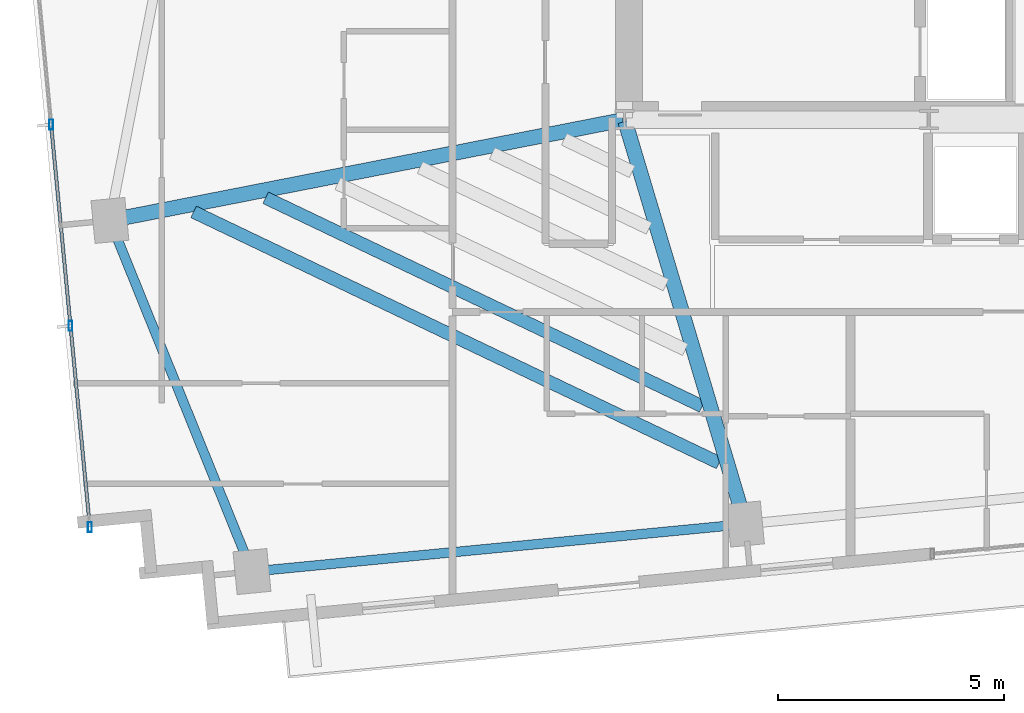
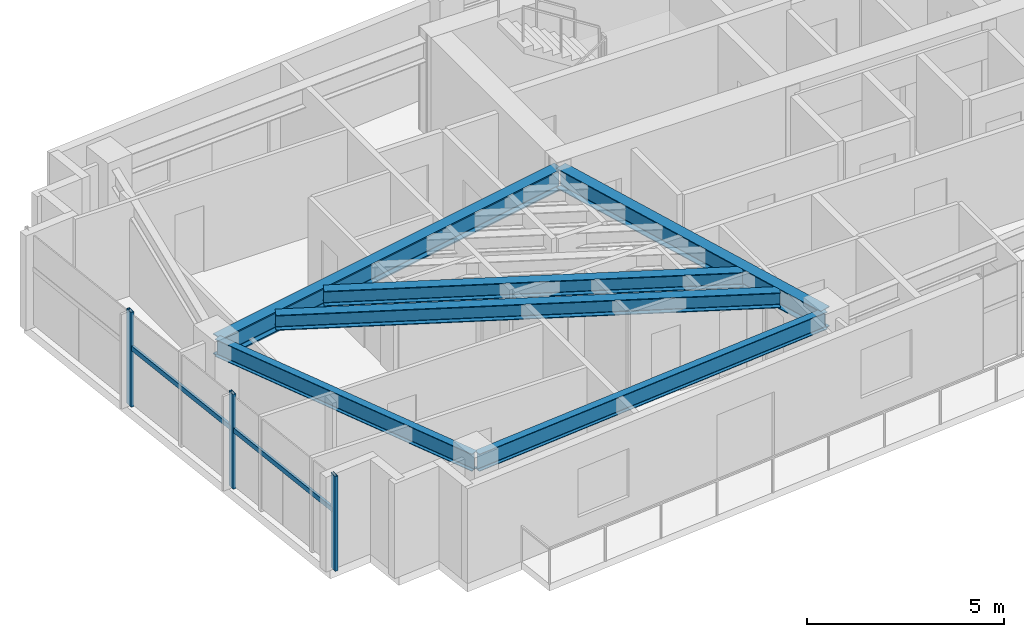
# One storey, part 2 of 18: 6 beams, 5 members, 1 element without a shape of its own.
"""IFC4 building model written with IfcOpenShell, lengths in metres."""

from ifc_helpers import new_model, si_unit, direction, frame, origin, origin_2d, place, context, subcontext, project, spatial, hollow_rectangle, i_section, extrude, source, transform, mapped, material, material_profile, profile_set, type_object, type_shapes, element, aggregate, save


model = new_model("IFC4")

# Units and contexts
model_context = context("Model", 3, precision=1e-05, world=origin(), true_north=direction((0.0, 1.0)))
body_context = subcontext(model_context, "Body", "Model", "MODEL_VIEW")
ifc_project = project(units=[si_unit("LENGTHUNIT", "METRE"), si_unit("AREAUNIT", "SQUARE_METRE"), si_unit("VOLUMEUNIT", "CUBIC_METRE"), si_unit("PLANEANGLEUNIT", "RADIAN"), si_unit("MASSUNIT", "GRAM", prefix="KILO")], contexts=[model_context])

# Site, building, storey
site_placement = place(None, origin())
site = spatial("IfcSite", under=ifc_project, at=site_placement, CompositionType="ELEMENT")
building_placement = place(site_placement, origin())
building = spatial("IfcBuilding", under=site, at=building_placement, Name="Astriad Promenade Condominiums", CompositionType="ELEMENT")
storey_placement = place(building_placement, frame((0.0, 0.0, 176.199951171875)))
storey = spatial("IfcBuildingStorey", under=building, at=storey_placement, Name="L50", CompositionType="ELEMENT", Elevation=176.199951171875)

# Beams
ifc_material_1 = material(Name="Steel ASTM A992 Grade 50", Category="steel")
ifc_material_profile_1 = material_profile(ifc_material_1, i_section(OverallWidth=0.210693359375, OverallDepth=0.53955078125, WebThickness=0.01171875, FlangeThickness=0.018798828125, FilletRadius=0.0166015625, at=origin_2d()), Name="W21X73")
ifc_profile_set_1 = profile_set([ifc_material_profile_1], Name="Steel ASTM A992 Grade 50")
beam_type_1 = type_object("IfcBeamType", Name="STEEL SPANDREL BEAM W21X73", PredefinedType="SPANDREL", material=ifc_profile_set_1)
shared_shape_1 = source(origin(), body_context, "Body", "SweptSolid", [
    extrude(i_section(OverallWidth=0.210693359375, OverallDepth=0.53955078125, WebThickness=0.01171875, FlangeThickness=0.018798828125, FilletRadius=0.0166015625, at=origin_2d()), origin(), (0.0, 0.0, 1.0), 10.8701171875),
])
beam_1_placement = place(storey_placement, frame((18.209228515625, 7.421630859375, 2.670166015625), z_axis=(0.995394986184, 0.09585834069, 0.0), x_axis=(-0.09585834069, 0.995394986184, 0.0)))
element("IfcBeam", 1, at=beam_1_placement, inside=storey, type_object=beam_type_1, Name="Perimeter Spandrel Beam SP-S1-L50", PredefinedType="SPANDREL", context=body_context, shape_type="MappedRepresentation", body=[
    mapped(shared_shape_1, transform((0.0, 0.0, 0.0), scale=1.0)),
])
shared_shape_2 = source(origin(), body_context, "Body", "SweptSolid", [
    extrude(i_section(OverallWidth=0.210693359375, OverallDepth=0.53955078125, WebThickness=0.01171875, FlangeThickness=0.018798828125, FilletRadius=0.0166015625, at=origin_2d()), origin(), (0.0, 0.0, 1.0), 8.28564453125),
])
type_shapes(beam_type_1, [shared_shape_1, shared_shape_2])
beam_2_placement = place(storey_placement, frame((15.046875, 15.1357421875, 2.670166015625), z_axis=(0.375070987134, -0.926996092014, 0.0), x_axis=(0.926996092014, 0.375070987134, 0.0)))
element("IfcBeam", 2, at=beam_2_placement, inside=storey, type_object=beam_type_1, Name="Perimeter Spandrel Beam SP-W1-L50", PredefinedType="SPANDREL", context=body_context, shape_type="MappedRepresentation", body=[
    mapped(shared_shape_2, transform((0.0, 0.0, 0.0), scale=1.0)),
])
ifc_material_profile_2 = material_profile(ifc_material_1, i_section(OverallWidth=0.327392578125, OverallDepth=0.640625, WebThickness=0.01904296875, FlangeThickness=0.033935546875, FilletRadius=0.017822265625, at=origin_2d()), Name="W24X176")
ifc_profile_set_2 = profile_set([ifc_material_profile_2], Name="Steel ASTM A992 Grade 50")
beam_type_2 = type_object("IfcBeamType", Name="STEEL FLOOR GIRDER W24X176", PredefinedType="BEAM", material=ifc_profile_set_2)
shared_shape_3 = source(origin(), body_context, "Body", "SweptSolid", [
    extrude(i_section(OverallWidth=0.327392578125, OverallDepth=0.640625, WebThickness=0.01904296875, FlangeThickness=0.033935546875, FilletRadius=0.017822265625, at=origin_2d()), origin(), (0.0, 0.0, 1.0), 11.504150390625),
])
type_shapes(beam_type_2, [shared_shape_3])
beam_3_placement = place(storey_placement, frame((15.071044921875, 15.1806640625, 2.61962890625), z_axis=(0.981346028441, 0.192249765833, 0.0), x_axis=(-0.192249765833, 0.981346028441, 0.0)))
element("IfcBeam", 3, at=beam_3_placement, inside=storey, type_object=beam_type_2, Name="Primary Floor Girder PG-WM-L50", PredefinedType="BEAM", context=body_context, shape_type="MappedRepresentation", body=[
    mapped(shared_shape_3, transform((0.0, 0.0, 0.0), scale=1.0)),
])
ifc_material_profile_3 = material_profile(ifc_material_1, i_section(OverallWidth=0.326416015625, OverallDepth=0.621826171875, WebThickness=0.015380859375, FlangeThickness=0.0244140625, FilletRadius=0.017822265625, at=origin_2d()), Name="W24X131")
ifc_profile_set_3 = profile_set([ifc_material_profile_3], Name="Steel ASTM A992 Grade 50")
beam_type_3 = type_object("IfcBeamType", Name="STEEL FLOOR GIRDER W24X131", PredefinedType="BEAM", material=ifc_profile_set_3)
shared_shape_4 = source(origin(), body_context, "Body", "SweptSolid", [
    extrude(i_section(OverallWidth=0.326416015625, OverallDepth=0.621826171875, WebThickness=0.015380859375, FlangeThickness=0.0244140625, FilletRadius=0.017822265625, at=origin_2d()), origin(), (0.0, 0.0, 1.0), 9.242919921875),
])
type_shapes(beam_type_3, [shared_shape_4])
beam_4_placement = place(storey_placement, frame((29.0576171875, 8.505615234375, 2.629150390625), z_axis=(-0.286269354745, 0.958149182818, 0.0), x_axis=(-0.958149182818, -0.286269354745, 0.0)))
element("IfcBeam", 4, at=beam_4_placement, inside=storey, type_object=beam_type_3, Name="Primary Floor Girder PG-W2-L50", PredefinedType="BEAM", context=body_context, shape_type="MappedRepresentation", body=[
    mapped(shared_shape_4, transform((0.0, 0.0, 0.0), scale=1.0)),
])
ifc_material_profile_4 = material_profile(ifc_material_1, i_section(OverallWidth=0.283203125, OverallDepth=0.47216796875, WebThickness=0.013671875, FlangeThickness=0.022216796875, FilletRadius=0.01513671875, at=origin_2d()), Name="W18X97")
ifc_profile_set_4 = profile_set([ifc_material_profile_4], Name="Steel ASTM A992 Grade 50")
beam_type_4 = type_object("IfcBeamType", Name="STEEL FLOOR JOIST W18X97", PredefinedType="JOIST", material=ifc_profile_set_4)
shared_shape_5 = source(origin(), body_context, "Body", "SweptSolid", [
    extrude(i_section(OverallWidth=0.283203125, OverallDepth=0.47216796875, WebThickness=0.013671875, FlangeThickness=0.022216796875, FilletRadius=0.01513671875, at=origin_2d()), origin(), (0.0, 0.0, 1.0), 12.864013671875),
])
beam_5_placement = place(storey_placement, frame((16.8798828125, 15.362060546875, 2.703857421875), z_axis=(0.902332932985, -0.431039763886, 0.0), x_axis=(0.431039763886, 0.902332932985, 0.0)))
element("IfcBeam", 5, at=beam_5_placement, inside=storey, type_object=beam_type_4, Name="Secondary Composite Floor Joist JW1-1-L50", PredefinedType="JOIST", context=body_context, shape_type="MappedRepresentation", body=[
    mapped(shared_shape_5, transform((0.0, 0.0, 0.0), scale=1.0)),
])
shared_shape_6 = source(origin(), body_context, "Body", "SweptSolid", [
    extrude(i_section(OverallWidth=0.283203125, OverallDepth=0.47216796875, WebThickness=0.013671875, FlangeThickness=0.022216796875, FilletRadius=0.01513671875, at=origin_2d()), origin(), (0.0, 0.0, 1.0), 10.686279296875),
])
type_shapes(beam_type_4, [shared_shape_5, shared_shape_6])
beam_6_placement = place(storey_placement, frame((18.471435546875, 15.673828125, 2.703857421875), z_axis=(0.902342124644, -0.431020521661, 0.0), x_axis=(0.431020521661, 0.902342124644, 0.0)))
element("IfcBeam", 6, at=beam_6_placement, inside=storey, type_object=beam_type_4, Name="Secondary Composite Floor Joist JW1-2-L50", PredefinedType="JOIST", context=body_context, shape_type="MappedRepresentation", body=[
    mapped(shared_shape_6, transform((0.0, 0.0, 0.0), scale=1.0)),
])

# Curtain wall, members
ifc_material_2 = material(Name="Anodised aluminium Black Dark Glass Unitised", Category="aluminium")
curtain_wall_type = type_object("IfcCurtainWallType", Name="CW-B34-DARK", PredefinedType="USERDEFINED", material=ifc_material_2)
curtain_wall_placement = place(storey_placement, origin())
curtain_wall = element("IfcCurtainWall", 7, at=curtain_wall_placement, inside=storey, type_object=curtain_wall_type, Name="CW-L50-W", ObjectType="UNITISED_CURTAIN_WALL", PredefinedType="USERDEFINED")
ifc_material_3 = material(Name="Anodised aluminium 6063-T6 Black", Category="aluminium")
ifc_material_profile_5 = material_profile(ifc_material_3, hollow_rectangle(XDim=0.0849609375, YDim=0.219970703125, WallThickness=0.0048828125, at=origin_2d()), Name="ALU-MUL-85X220")
ifc_profile_set_5 = profile_set([ifc_material_profile_5], Name="Anodised aluminium 6063-T6 Black")
member_type_1 = type_object("IfcMemberType", Name="MUL-ALU-MUL-85X220", PredefinedType="MULLION", material=ifc_profile_set_5)
shared_shape_7 = source(origin(), body_context, "Body", "SweptSolid", [
    extrude(hollow_rectangle(XDim=0.0849609375, YDim=0.219970703125, WallThickness=0.0048828125, at=origin_2d()), origin(), (0.0, 0.0, 1.0), 2.93994140625),
])
type_shapes(member_type_1, [shared_shape_7])
member_1_placement = place(storey_placement, frame((14.589111328125, 8.3994140625, 0.0), z_axis=(0.0, 0.0, 1.0), x_axis=(1.0, 0.0, 0.0)))
member_1 = element("IfcMember", 8, at=member_1_placement, type_object=member_type_1, Name="CW-L50-W-MUL-00", PredefinedType="MULLION", context=body_context, shape_type="MappedRepresentation", body=[
    mapped(shared_shape_7, transform((0.0, 0.0, 0.0), scale=1.0)),
])
member_2_placement = place(storey_placement, frame((14.160888671875, 12.845458984375, 0.0), z_axis=(0.0, 0.0, 1.0), x_axis=(1.0, 0.0, 0.0)))
member_2 = element("IfcMember", 9, at=member_2_placement, type_object=member_type_1, Name="CW-L50-W-MUL-01", PredefinedType="MULLION", context=body_context, shape_type="MappedRepresentation", body=[
    mapped(shared_shape_7, transform((0.0, 0.0, 0.0), scale=1.0)),
])
member_3_placement = place(storey_placement, frame((13.732666015625, 17.29150390625, 0.0), z_axis=(0.0, 0.0, 1.0), x_axis=(1.0, 0.0, 0.0)))
member_3 = element("IfcMember", 10, at=member_3_placement, type_object=member_type_1, Name="CW-L50-W-MUL-02", PredefinedType="MULLION", context=body_context, shape_type="MappedRepresentation", body=[
    mapped(shared_shape_7, transform((0.0, 0.0, 0.0), scale=1.0)),
])
ifc_material_profile_6 = material_profile(ifc_material_3, hollow_rectangle(XDim=0.074951171875, YDim=0.14990234375, WallThickness=0.004150390625, at=origin_2d()), Name="ALU-TRN-75X150")
ifc_profile_set_6 = profile_set([ifc_material_profile_6], Name="Anodised aluminium 6063-T6 Black")
member_type_2 = type_object("IfcMemberType", Name="TRN-ALU-TRN-75X150", PredefinedType="USERDEFINED", material=ifc_profile_set_6)
shared_shape_8 = source(origin(), body_context, "Body", "SweptSolid", [
    extrude(hollow_rectangle(XDim=0.074951171875, YDim=0.14990234375, WallThickness=0.004150390625, at=origin_2d()), origin(), (0.0, 0.0, 1.0), 4.466552734375),
])
type_shapes(member_type_2, [shared_shape_8])
member_4_placement = place(storey_placement, frame((14.589111328125, 8.3994140625, 1.82275390625), z_axis=(-0.095871755514, 0.995393694221, 0.0), x_axis=(-0.995393694221, -0.095871755514, 0.0)))
member_4 = element("IfcMember", 11, at=member_4_placement, type_object=member_type_2, Name="CW-L50-W-TRN-00-0", ObjectType="TRANSOM", PredefinedType="USERDEFINED", context=body_context, shape_type="MappedRepresentation", body=[
    mapped(shared_shape_8, transform((0.0, 0.0, 0.0), scale=1.0)),
])
member_5_placement = place(storey_placement, frame((14.160888671875, 12.845458984375, 1.82275390625), z_axis=(-0.095871755514, 0.995393694221, 0.0), x_axis=(-0.995393694221, -0.095871755514, 0.0)))
member_5 = element("IfcMember", 12, at=member_5_placement, type_object=member_type_2, Name="CW-L50-W-TRN-01-0", ObjectType="TRANSOM", PredefinedType="USERDEFINED", context=body_context, shape_type="MappedRepresentation", body=[
    mapped(shared_shape_8, transform((0.0, 0.0, 0.0), scale=1.0)),
])
aggregate(curtain_wall, [member_1, member_2, member_3, member_4, member_5])

save(model, "model.ifc")
